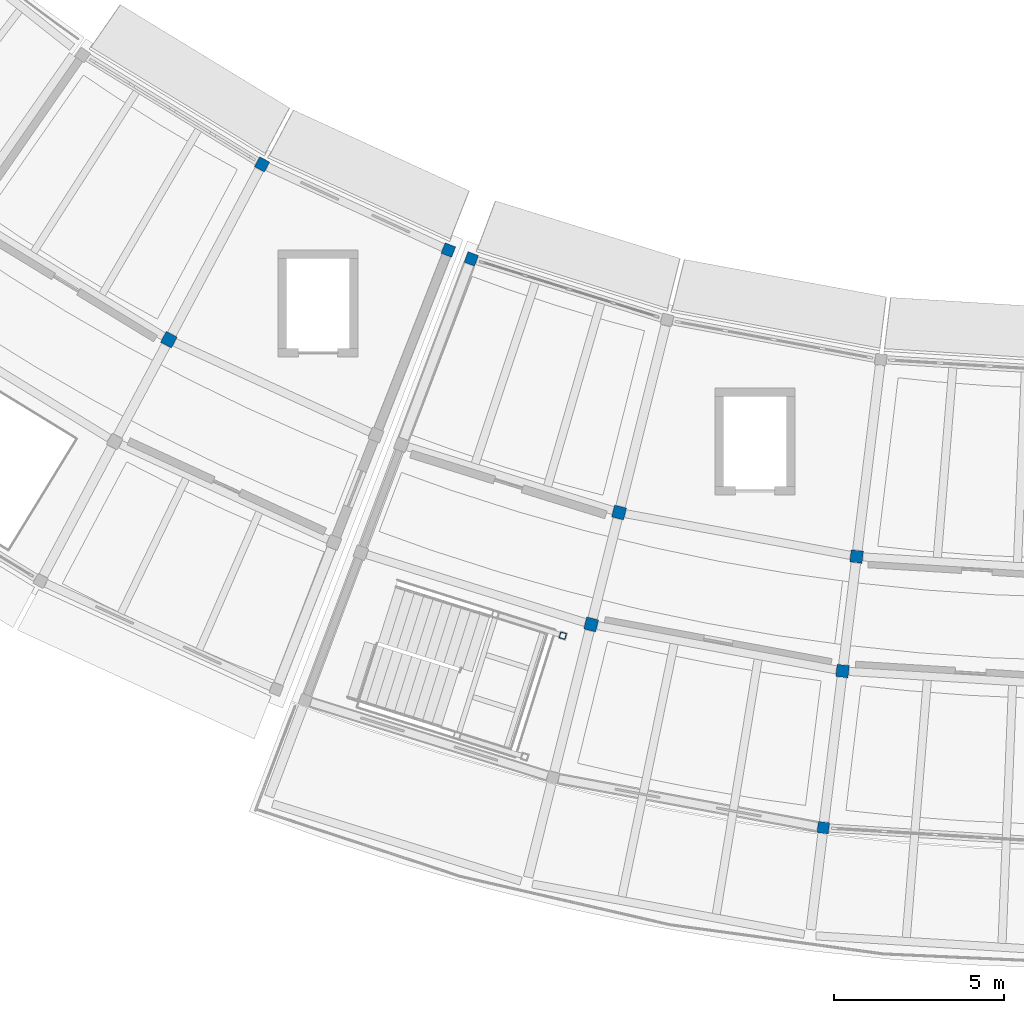
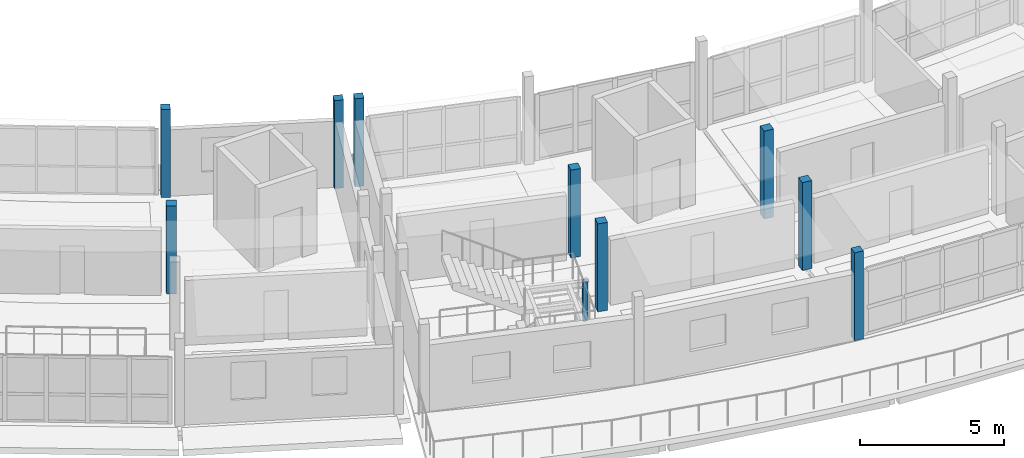
# One storey, part 2 of 24: 10 columns.
"""IFC4 building model written with IfcOpenShell, lengths in metres."""

from ifc_helpers import new_model, si_unit, direction, frame, origin, origin_2d, place, context, subcontext, project, spatial, rectangle, hollow_rectangle, extrude, material, material_profile, profile_set, type_object, element, save


model = new_model("IFC4")

# Units and contexts
model_context = context("Model", 3, precision=1e-05, world=origin(), true_north=direction((0.0, 1.0)))
body_context = subcontext(model_context, "Body", "Model", "MODEL_VIEW")
ifc_project = project(units=[si_unit("LENGTHUNIT", "METRE"), si_unit("AREAUNIT", "SQUARE_METRE"), si_unit("VOLUMEUNIT", "CUBIC_METRE"), si_unit("PLANEANGLEUNIT", "RADIAN"), si_unit("MASSUNIT", "GRAM", prefix="KILO")], contexts=[model_context])

# Site, building, storey
site_placement = place(None, origin())
site = spatial("IfcSite", under=ifc_project, at=site_placement, CompositionType="ELEMENT")
building_placement = place(site_placement, origin())
building = spatial("IfcBuilding", under=site, at=building_placement, Name="Caldaven Crescent School", CompositionType="ELEMENT")
storey_placement = place(building_placement, frame((0.0, 0.0, 15.639892578125)))
storey = spatial("IfcBuildingStorey", under=building, at=storey_placement, Name="L04", CompositionType="ELEMENT", Elevation=15.639892578125)

# Columns
ifc_material_1 = material(Name="Glulam MLE24h (GL28h)", Category="wood")
ifc_material_profile_1 = material_profile(ifc_material_1, rectangle(XDim=0.330078125, YDim=0.330078125, at=origin_2d()), Name="MLE 330x330")
ifc_profile_set_1 = profile_set([ifc_material_profile_1], Name="Glulam MLE24h (GL28h)")
column_type_1 = type_object("IfcColumnType", Name="COL-GL33", PredefinedType="COLUMN", material=ifc_profile_set_1)
for number, where, z_axis, x_axis, name in (
    (1, (63.376220703125, 49.689453125, 0.0), (0.0, 0.0, 1.0), (-0.469471562786, -0.882947592859, 0.0), "COL-V4W-L04-01-0"),
    (2, (68.866943359375, 47.164306640625, 0.0), (0.0, 0.0, 1.0), (-0.364714278886, -0.931119484694, 0.0), "COL-V4W-L04-02-0"),
    (3, (69.541259765625, 46.905517578125, 0.0), (0.0, 0.0, 1.0), (-0.352005016254, -0.93599811353, 0.0), "COL-V5-L04-00-0"),
    (4, (79.9140625, 30.14453125, 0.0), (0.0, 0.0, 1.0), (-0.121869343405, -0.992546151641, 0.0), "COL-V5-L04-02-3"),
):
    element("IfcColumn", number, at=place(storey_placement, frame(where, z_axis=z_axis, x_axis=x_axis)), inside=storey, type_object=column_type_1, Name=name, PredefinedType="COLUMN", context=body_context, shape_type="SweptSolid", body=[
        extrude(rectangle(XDim=0.330078125, YDim=0.330078125, at=origin_2d()), origin(), (0.0, 0.0, 1.0), 3.739990234375),
    ])
ifc_material_profile_2 = material_profile(ifc_material_1, rectangle(XDim=0.360107421875, YDim=0.360107421875, at=origin_2d()), Name="MLE 360x360")
ifc_profile_set_2 = profile_set([ifc_material_profile_2], Name="Glulam MLE24h (GL28h)")
column_type_2 = type_object("IfcColumnType", Name="COL-GL36", PredefinedType="COLUMN", material=ifc_profile_set_2)
for number, where, z_axis, x_axis, name in (
    (5, (60.6298828125, 44.524169921875, 0.0), (0.0, 0.0, 1.0), (-0.469471562786, -0.882947592859, 0.0), "COL-V4W-L04-01-1"),
    (6, (73.89599609375, 39.431640625, 0.0), (0.0, 0.0, 1.0), (-0.2419218956, -0.970295726276, 0.0), "COL-V5-L04-01-1"),
    (7, (73.073486328125, 36.1328125, 0.0), (0.0, 0.0, 1.0), (-0.2419218956, -0.970295726276, 0.0), "COL-V5-L04-01-2"),
    (8, (80.89501953125, 38.134521484375, 0.0), (0.0, 0.0, 1.0), (-0.121869343405, -0.992546151641, 0.0), "COL-V5-L04-02-1"),
    (9, (80.480712890625, 34.760009765625, 0.0), (0.0, 0.0, 1.0), (-0.121869343405, -0.992546151641, 0.0), "COL-V5-L04-02-2"),
):
    element("IfcColumn", number, at=place(storey_placement, frame(where, z_axis=z_axis, x_axis=x_axis)), inside=storey, type_object=column_type_2, Name=name, PredefinedType="COLUMN", context=body_context, shape_type="SweptSolid", body=[
        extrude(rectangle(XDim=0.360107421875, YDim=0.360107421875, at=origin_2d()), origin(), (0.0, 0.0, 1.0), 3.739990234375),
    ])
ifc_material_2 = material(Name="Steel ASTM A572 Grade 50", Category="steel")
ifc_material_profile_3 = material_profile(ifc_material_2, hollow_rectangle(XDim=0.179931640625, YDim=0.179931640625, WallThickness=0.010009765625, InnerFilletRadius=0.010009765625, OuterFilletRadius=0.02001953125, at=origin_2d()), Name="HSS 180x180x10")
ifc_profile_set_3 = profile_set([ifc_material_profile_3], Name="Steel ASTM A572 Grade 50")
column_type_3 = type_object("IfcColumnType", Name="COL-HS18", PredefinedType="COLUMN", material=ifc_profile_set_3)
column_placement = place(storey_placement, frame((72.239013671875, 35.80322265625, 0.0), z_axis=(0.0, 0.0, 1.0), x_axis=(0.953716950748, -0.300705799504, 0.0)))
element("IfcColumn", 10, at=column_placement, inside=storey, type_object=column_type_3, Name="COL-STPOST-ST2-L04-D", PredefinedType="COLUMN", context=body_context, shape_type="SweptSolid", body=[
    extrude(hollow_rectangle(XDim=0.179931640625, YDim=0.179931640625, WallThickness=0.010009765625, InnerFilletRadius=0.010009765625, OuterFilletRadius=0.02001953125, at=origin_2d()), origin(), (0.0, 0.0, 1.0), 1.675048828125),
])

save(model, "model.ifc")
